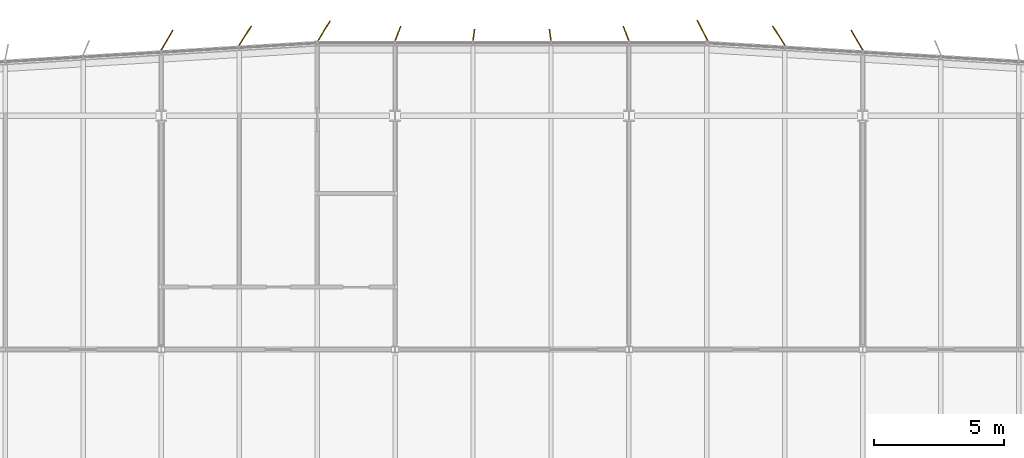
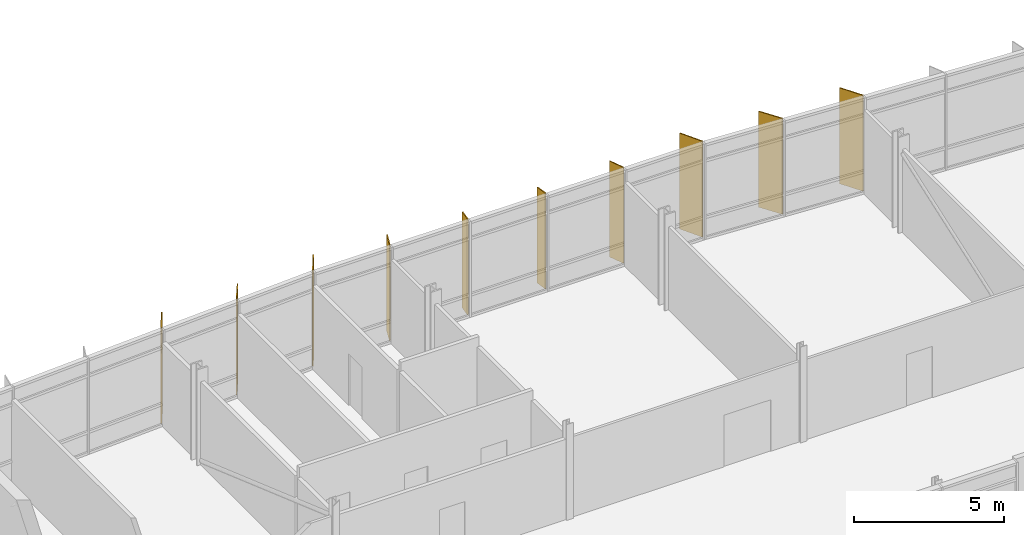
# One storey, part 19 of 19: 10 shading devices.
"""IFC4 building model written with IfcOpenShell, lengths in metres."""

from ifc_helpers import new_model, si_unit, direction, frame, origin, origin_2d, place, context, subcontext, project, spatial, rectangle, extrude, material, layer, layer_set, type_object, element, save


model = new_model("IFC4")

# Units and contexts
model_context = context("Model", 3, precision=1e-05, world=origin(), true_north=direction((0.0, 1.0)))
body_context = subcontext(model_context, "Body", "Model", "MODEL_VIEW")
ifc_project = project(units=[si_unit("LENGTHUNIT", "METRE"), si_unit("AREAUNIT", "SQUARE_METRE"), si_unit("VOLUMEUNIT", "CUBIC_METRE"), si_unit("PLANEANGLEUNIT", "RADIAN"), si_unit("MASSUNIT", "GRAM", prefix="KILO")], contexts=[model_context])

# Site, building, storey
site_placement = place(None, origin())
site = spatial("IfcSite", under=ifc_project, at=site_placement, CompositionType="ELEMENT")
building_placement = place(site_placement, origin())
building = spatial("IfcBuilding", under=site, at=building_placement, Name="Azimuth Sports and Learning Centre", CompositionType="ELEMENT")
storey_placement = place(building_placement, frame((0.0, 0.0, 67.5)))
storey = spatial("IfcBuildingStorey", under=building, at=storey_placement, Name="L15", CompositionType="ELEMENT", Elevation=67.5)

# Shading devices
ifc_material_1 = material(Name="Aluminium", Category="aluminium")
ifc_layer_1 = layer(ifc_material_1, 0.0400390625)
ifc_layer_set_1 = layer_set([ifc_layer_1], Name="Aluminium")
shading_device_type_1 = type_object("IfcShadingDeviceType", Name="Shading fin 450", PredefinedType="JALOUSIE", material=ifc_layer_set_1)
for number, where, z_axis, x_axis, name in (
    (1, (86.970703125, 120.10302734375, 0.0), (0.0, 0.0, 1.0), (-0.130263528306, 0.991479406338, 0.0), "Shading fin F15-012"),
    (2, (84.029296875, 120.10302734375, 0.0), (0.0, 0.0, 1.0), (0.130263528306, 0.991479406338, 0.0), "Shading fin F15-013"),
):
    element("IfcShadingDevice", number, at=place(storey_placement, frame(where, z_axis=z_axis, x_axis=x_axis)), inside=storey, type_object=shading_device_type_1, Name=name, PredefinedType="JALOUSIE", context=body_context, shape_type="SweptSolid", body=[
        extrude(rectangle(XDim=0.449951171875, YDim=0.0400390625, at=origin_2d()), origin(), (0.0, 0.0, 1.0), 3.89990234375),
    ])
ifc_material_2 = material(Name="Aluminium", Category="aluminium")
ifc_layer_2 = layer(ifc_material_2, 0.0400390625)
ifc_layer_set_2 = layer_set([ifc_layer_2], Name="Aluminium")
shading_device_type_2 = type_object("IfcShadingDeviceType", Name="Shading fin 600", PredefinedType="JALOUSIE", material=ifc_layer_set_2)
for number, where, z_axis, x_axis, name in (
    (3, (89.8916015625, 120.15966796875, 0.0), (0.0, 0.0, 1.0), (-0.36097797694, 0.932574340288, 0.0), "Shading fin F15-011"),
    (4, (81.1083984375, 120.15966796875, 0.0), (0.0, 0.0, 1.0), (0.36097797694, 0.932574340288, 0.0), "Shading fin F15-014"),
):
    element("IfcShadingDevice", number, at=place(storey_placement, frame(where, z_axis=z_axis, x_axis=x_axis)), inside=storey, type_object=shading_device_type_2, Name=name, PredefinedType="JALOUSIE", context=body_context, shape_type="SweptSolid", body=[
        extrude(rectangle(XDim=0.60009765625, YDim=0.0400390625, at=origin_2d()), origin(), (0.0, 0.0, 1.0), 3.89990234375),
    ])
ifc_material_3 = material(Name="Aluminium", Category="aluminium")
ifc_layer_3 = layer(ifc_material_3, 0.0400390625)
ifc_layer_set_3 = layer_set([ifc_layer_3], Name="Aluminium")
shading_device_type_3 = type_object("IfcShadingDeviceType", Name="Shading fin 900", PredefinedType="JALOUSIE", material=ifc_layer_set_3)
for number, where, z_axis, x_axis, name in (
    (5, (98.7802734375, 119.90625, 0.0), (0.0, 0.0, 1.0), (-0.512109147283, 0.858920381217, 0.0), "Shading fin F15-008"),
    (6, (95.769775390625, 120.079833984375, 0.0), (0.0, 0.0, 1.0), (-0.535372471366, 0.844616076631, 0.0), "Shading fin F15-009"),
    (7, (92.831298828125, 120.276123046875, 0.0), (0.0, 0.0, 1.0), (-0.465511049865, 0.885042068183, 0.0), "Shading fin F15-010"),
    (8, (78.262939453125, 120.264892578125, 0.0), (0.0, 0.0, 1.0), (0.517682326227, 0.855572912797, 0.0), "Shading fin F15-015"),
    (9, (75.230224609375, 120.079833984375, 0.0), (0.0, 0.0, 1.0), (0.535372471366, 0.844616076631, 0.0), "Shading fin F15-016"),
    (10, (72.2197265625, 119.90625, 0.0), (0.0, 0.0, 1.0), (0.512109147283, 0.858920381217, 0.0), "Shading fin F15-017"),
):
    element("IfcShadingDevice", number, at=place(storey_placement, frame(where, z_axis=z_axis, x_axis=x_axis)), inside=storey, type_object=shading_device_type_3, Name=name, PredefinedType="JALOUSIE", context=body_context, shape_type="SweptSolid", body=[
        extrude(rectangle(XDim=0.89990234375, YDim=0.0400390625, at=origin_2d()), origin(), (0.0, 0.0, 1.0), 3.89990234375),
    ])

save(model, "model.ifc")
